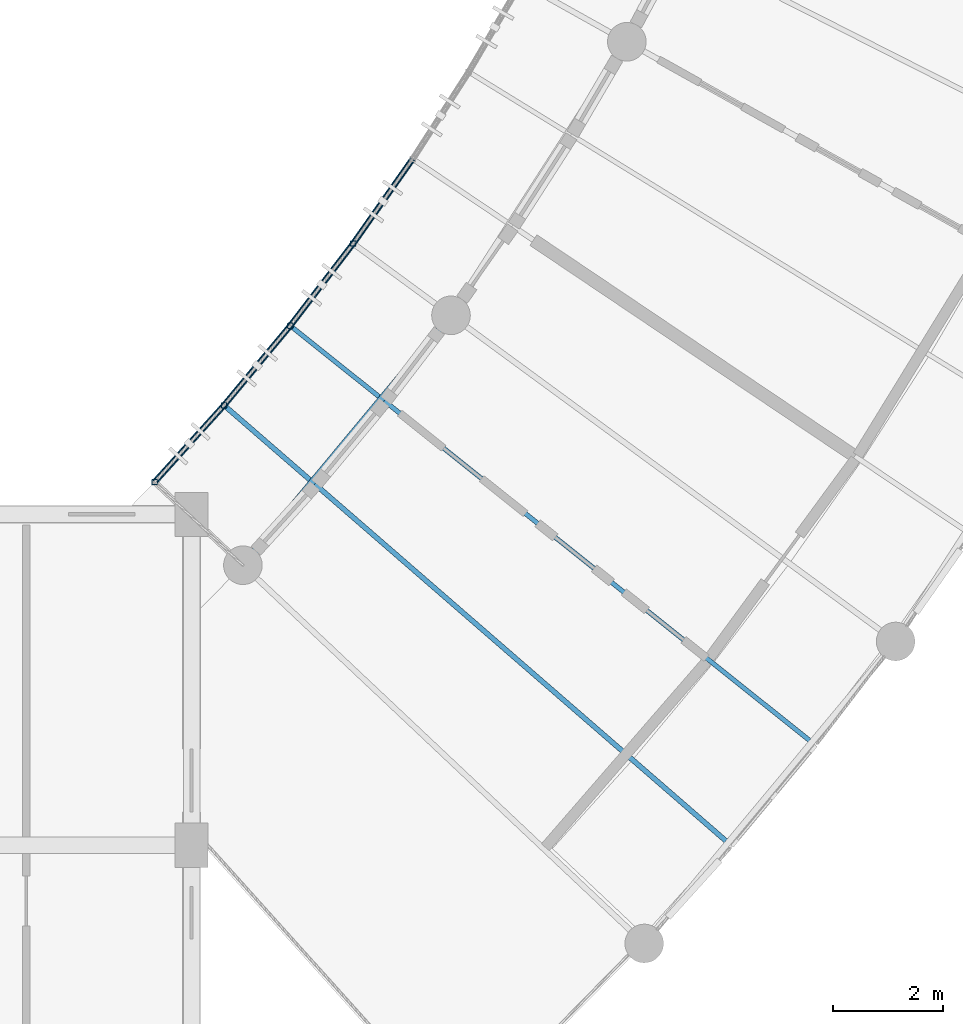
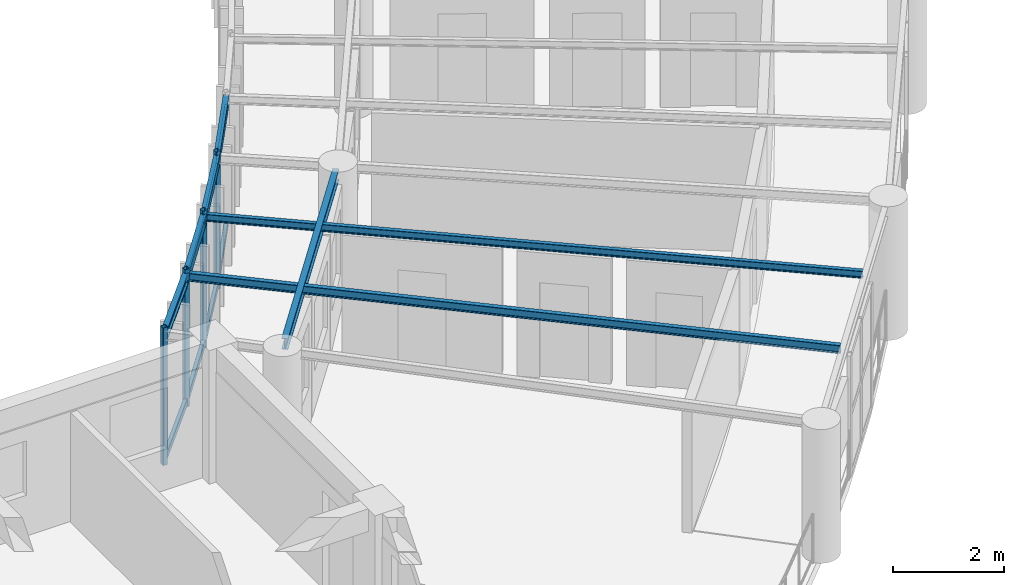
# One storey, part 23 of 137: 12 members, 7 beams.
"""IFC4 building model written with IfcOpenShell, lengths in metres."""

from ifc_helpers import new_model, si_unit, direction, frame, origin, origin_2d, place, context, subcontext, project, spatial, hollow_rectangle, i_section, extrude, material, material_profile, profile_set, type_object, element, save


model = new_model("IFC4")

# Units and contexts
model_context = context("Model", 3, precision=1e-05, world=origin(), true_north=direction((0.0, 1.0)))
body_context = subcontext(model_context, "Body", "Model", "MODEL_VIEW")
ifc_project = project(units=[si_unit("LENGTHUNIT", "METRE"), si_unit("AREAUNIT", "SQUARE_METRE"), si_unit("VOLUMEUNIT", "CUBIC_METRE"), si_unit("PLANEANGLEUNIT", "RADIAN"), si_unit("MASSUNIT", "GRAM", prefix="KILO"), si_unit("POWERUNIT", "WATT"), si_unit("THERMODYNAMICTEMPERATUREUNIT", "KELVIN")], contexts=[model_context])

# Site, building, storey
site_placement = place(None, origin())
site = spatial("IfcSite", under=ifc_project, at=site_placement, CompositionType="ELEMENT")
building_placement = place(site_placement, origin())
building = spatial("IfcBuilding", under=site, at=building_placement, Name="Ruvembo Vaulted Housing Court", CompositionType="ELEMENT")
storey_placement = place(building_placement, frame((0.0, 0.0, 4.5)))
storey = spatial("IfcBuildingStorey", under=building, at=storey_placement, Name="L01", CompositionType="ELEMENT", Elevation=4.5)

# Beams
ifc_material = material(Name="Steel S355J2", Category="steel")
ifc_material_profile_1 = material_profile(ifc_material, i_section(OverallWidth=0.08203125, OverallDepth=0.159912109375, WebThickness=0.0048828125, FlangeThickness=0.00732421875, FilletRadius=0.009033203125, at=origin_2d()), Name="IPE 160")
ifc_profile_set_1 = profile_set([ifc_material_profile_1], Name="Steel S355J2")
beam_type_1 = type_object("IfcBeamType", Name="BM-ST-IPE160", PredefinedType="JOIST", material=ifc_profile_set_1)
beam_1_placement = place(storey_placement, frame((47.20751953125, 37.900146484375, 2.860107421875), z_axis=(-0.781429857341, 0.623993091353, 0.0), x_axis=(-0.623993091353, -0.781429857341, 0.0)))
element("IfcBeam", 1, at=beam_1_placement, inside=storey, type_object=beam_type_1, Name="Scoop SC1 L01 Radial Steel Joist 2", PredefinedType="JOIST", context=body_context, shape_type="SweptSolid", body=[
    extrude(i_section(OverallWidth=0.08203125, OverallDepth=0.159912109375, WebThickness=0.0048828125, FlangeThickness=0.00732421875, FilletRadius=0.009033203125, at=origin_2d()), origin(), (0.0, 0.0, 1.0), 12.092529296875),
])
ifc_material_profile_2 = material_profile(ifc_material, i_section(OverallWidth=0.091064453125, OverallDepth=0.179931640625, WebThickness=0.00537109375, FlangeThickness=0.008056640625, FilletRadius=0.009033203125, at=origin_2d()), Name="IPE 180")
ifc_profile_set_2 = profile_set([ifc_material_profile_2], Name="Steel S355J2")
beam_type_2 = type_object("IfcBeamType", Name="BM-ST-IPE180", PredefinedType="JOIST", material=ifc_profile_set_2)
beam_2_placement = place(storey_placement, frame((45.690673828125, 36.078369140625, 2.85009765625), z_axis=(-0.75520458687, 0.655489154732, 0.0), x_axis=(-0.655489154732, -0.75520458687, 0.0)))
element("IfcBeam", 2, at=beam_2_placement, inside=storey, type_object=beam_type_2, Name="Scoop SC1 L01 Radial Steel Joist 1", PredefinedType="JOIST", context=body_context, shape_type="SweptSolid", body=[
    extrude(i_section(OverallWidth=0.091064453125, OverallDepth=0.179931640625, WebThickness=0.00537109375, FlangeThickness=0.008056640625, FilletRadius=0.009033203125, at=origin_2d()), origin(), (0.0, 0.0, 1.0), 12.092529296875),
])
ifc_material_profile_3 = material_profile(ifc_material, i_section(OverallWidth=0.110107421875, OverallDepth=0.219970703125, WebThickness=0.005859375, FlangeThickness=0.00927734375, FilletRadius=0.011962890625, at=origin_2d()), Name="IPE 220")
ifc_profile_set_3 = profile_set([ifc_material_profile_3], Name="Steel S355J2")
beam_type_3 = type_object("IfcBeamType", Name="BM-ST-IPE220", PredefinedType="SPANDREL", material=ifc_profile_set_3)
for number, where, z_axis, x_axis, name in (
    (3, (35.32958984375, 42.5869140625, 2.830078125), (0.670766832997, 0.741668292265, 0.0), (-0.741668292265, 0.670766832997, 0.0), "Scoop SC1 L01 Balcony Edge Spandrel 0"),
    (4, (36.58837890625, 43.978759765625, 2.830078125), (0.639915648776, 0.76844515904, 0.0), (-0.76844515904, 0.639915648776, 0.0), "Scoop SC1 L01 Balcony Edge Spandrel 1"),
):
    element("IfcBeam", number, at=place(storey_placement, frame(where, z_axis=z_axis, x_axis=x_axis)), inside=storey, type_object=beam_type_3, Name=name, PredefinedType="SPANDREL", context=body_context, shape_type="SweptSolid", body=[
        extrude(i_section(OverallWidth=0.110107421875, OverallDepth=0.219970703125, WebThickness=0.005859375, FlangeThickness=0.00927734375, FilletRadius=0.011962890625, at=origin_2d()), origin(), (0.0, 0.0, 1.0), 1.876708984375),
    ])
beam_3_placement = place(storey_placement, frame((37.789306640625, 45.4208984375, 2.830078125), z_axis=(0.607860517304, 0.794043822155, 0.0), x_axis=(-0.794043822155, 0.607860517304, 0.0)))
element("IfcBeam", 5, at=beam_3_placement, inside=storey, type_object=beam_type_3, Name="Scoop SC1 L01 Balcony Edge Spandrel 2", PredefinedType="SPANDREL", context=body_context, shape_type="SweptSolid", body=[
    extrude(i_section(OverallWidth=0.110107421875, OverallDepth=0.219970703125, WebThickness=0.005859375, FlangeThickness=0.00927734375, FilletRadius=0.011962890625, at=origin_2d()), origin(), (0.0, 0.0, 1.0), 1.87646484375),
])
beam_4_placement = place(storey_placement, frame((38.929931640625, 46.910888671875, 2.830078125), z_axis=(0.574858427718, 0.81825288761, 0.0), x_axis=(-0.81825288761, 0.574858427718, 0.0)))
element("IfcBeam", 6, at=beam_4_placement, inside=storey, type_object=beam_type_3, Name="Scoop SC1 L01 Balcony Edge Spandrel 3", PredefinedType="SPANDREL", context=body_context, shape_type="SweptSolid", body=[
    extrude(i_section(OverallWidth=0.110107421875, OverallDepth=0.219970703125, WebThickness=0.005859375, FlangeThickness=0.00927734375, FilletRadius=0.011962890625, at=origin_2d()), origin(), (0.0, 0.0, 1.0), 1.876708984375),
])
ifc_material_profile_4 = material_profile(ifc_material, i_section(OverallWidth=0.1201171875, OverallDepth=0.239990234375, WebThickness=0.006103515625, FlangeThickness=0.009765625, FilletRadius=0.014892578125, at=origin_2d()), Name="IPE 240")
ifc_profile_set_4 = profile_set([ifc_material_profile_4], Name="Steel S355J2")
beam_type_4 = type_object("IfcBeamType", Name="BM-ST-IPE240", PredefinedType="BEAM", material=ifc_profile_set_4)
beam_5_placement = place(storey_placement, frame((37.077880859375, 41.2548828125, 2.822021484375), z_axis=(0.639875176035, 0.768478860538, 0.0), x_axis=(-0.768478860538, 0.639875176035, 0.0)))
element("IfcBeam", 7, at=beam_5_placement, inside=storey, type_object=beam_type_4, Name="Scoop SC1 L01 Chord Girder F0", PredefinedType="BEAM", context=body_context, shape_type="SweptSolid", body=[
    extrude(i_section(OverallWidth=0.1201171875, OverallDepth=0.239990234375, WebThickness=0.006103515625, FlangeThickness=0.009765625, FilletRadius=0.014892578125, at=origin_2d()), origin(), (0.0, 0.0, 1.0), 5.43701171875),
])

# Members
ifc_material_profile_5 = material_profile(ifc_material, hollow_rectangle(XDim=0.06005859375, YDim=0.1201171875, WallThickness=0.0048828125, InnerFilletRadius=0.0048828125, OuterFilletRadius=0.010009765625, at=origin_2d()), Name="RHS 120x60x5")
ifc_profile_set_5 = profile_set([ifc_material_profile_5], Name="Steel S355J2")
member_type_1 = type_object("IfcMemberType", Name="MEM-CAR-RHS120", PredefinedType="CHORD", material=ifc_profile_set_5)
for number, where, z_axis, x_axis, name in (
    (8, (35.32958984375, 42.5869140625, 2.6630859375), (0.670766832997, 0.741668292265, 0.0), (-0.741668292265, 0.670766832997, 0.0), "Scoop SC1 L01 Upper Louvre Carrier Rail 0"),
    (9, (36.58837890625, 43.978759765625, 2.6630859375), (0.639915648776, 0.76844515904, 0.0), (-0.76844515904, 0.639915648776, 0.0), "Scoop SC1 L01 Upper Louvre Carrier Rail 1"),
):
    element("IfcMember", number, at=place(storey_placement, frame(where, z_axis=z_axis, x_axis=x_axis)), inside=storey, type_object=member_type_1, Name=name, PredefinedType="CHORD", context=body_context, shape_type="SweptSolid", body=[
        extrude(hollow_rectangle(XDim=0.06005859375, YDim=0.1201171875, WallThickness=0.0048828125, InnerFilletRadius=0.0048828125, OuterFilletRadius=0.010009765625, at=origin_2d()), origin(), (0.0, 0.0, 1.0), 1.876708984375),
    ])
member_1_placement = place(storey_placement, frame((37.789306640625, 45.4208984375, 2.6630859375), z_axis=(0.607860517304, 0.794043822155, 0.0), x_axis=(-0.794043822155, 0.607860517304, 0.0)))
element("IfcMember", 10, at=member_1_placement, inside=storey, type_object=member_type_1, Name="Scoop SC1 L01 Upper Louvre Carrier Rail 2", PredefinedType="CHORD", context=body_context, shape_type="SweptSolid", body=[
    extrude(hollow_rectangle(XDim=0.06005859375, YDim=0.1201171875, WallThickness=0.0048828125, InnerFilletRadius=0.0048828125, OuterFilletRadius=0.010009765625, at=origin_2d()), origin(), (0.0, 0.0, 1.0), 1.87646484375),
])
member_2_placement = place(storey_placement, frame((38.929931640625, 46.910888671875, 2.6630859375), z_axis=(0.574858427718, 0.81825288761, 0.0), x_axis=(-0.81825288761, 0.574858427718, 0.0)))
element("IfcMember", 11, at=member_2_placement, inside=storey, type_object=member_type_1, Name="Scoop SC1 L01 Upper Louvre Carrier Rail 3", PredefinedType="CHORD", context=body_context, shape_type="SweptSolid", body=[
    extrude(hollow_rectangle(XDim=0.06005859375, YDim=0.1201171875, WallThickness=0.0048828125, InnerFilletRadius=0.0048828125, OuterFilletRadius=0.010009765625, at=origin_2d()), origin(), (0.0, 0.0, 1.0), 1.876708984375),
])
ifc_material_profile_6 = material_profile(ifc_material, hollow_rectangle(XDim=0.080078125, YDim=0.14990234375, WallThickness=0.00634765625, InnerFilletRadius=0.00634765625, OuterFilletRadius=0.0126953125, at=origin_2d()), Name="RHS 150x80x6.3")
ifc_profile_set_6 = profile_set([ifc_material_profile_6], Name="Steel S355J2")
member_type_2 = type_object("IfcMemberType", Name="MEM-CAR-RHS150", PredefinedType="CHORD", material=ifc_profile_set_6)
for number, where, z_axis, x_axis, name in (
    (12, (35.32958984375, 42.5869140625, 0.094970703125), (0.670766832997, 0.741668292265, 0.0), (-0.741668292265, 0.670766832997, 0.0), "Scoop SC1 L01 Lower Louvre Carrier Rail 0"),
    (13, (36.58837890625, 43.978759765625, 0.094970703125), (0.639915648776, 0.76844515904, 0.0), (-0.76844515904, 0.639915648776, 0.0), "Scoop SC1 L01 Lower Louvre Carrier Rail 1"),
):
    element("IfcMember", number, at=place(storey_placement, frame(where, z_axis=z_axis, x_axis=x_axis)), inside=storey, type_object=member_type_2, Name=name, PredefinedType="CHORD", context=body_context, shape_type="SweptSolid", body=[
        extrude(hollow_rectangle(XDim=0.080078125, YDim=0.14990234375, WallThickness=0.00634765625, InnerFilletRadius=0.00634765625, OuterFilletRadius=0.0126953125, at=origin_2d()), origin(), (0.0, 0.0, 1.0), 1.876708984375),
    ])
member_3_placement = place(storey_placement, frame((37.789306640625, 45.4208984375, 0.094970703125), z_axis=(0.607860517304, 0.794043822155, 0.0), x_axis=(-0.794043822155, 0.607860517304, 0.0)))
element("IfcMember", 14, at=member_3_placement, inside=storey, type_object=member_type_2, Name="Scoop SC1 L01 Lower Louvre Carrier Rail 2", PredefinedType="CHORD", context=body_context, shape_type="SweptSolid", body=[
    extrude(hollow_rectangle(XDim=0.080078125, YDim=0.14990234375, WallThickness=0.00634765625, InnerFilletRadius=0.00634765625, OuterFilletRadius=0.0126953125, at=origin_2d()), origin(), (0.0, 0.0, 1.0), 1.87646484375),
])
member_4_placement = place(storey_placement, frame((38.929931640625, 46.910888671875, 0.094970703125), z_axis=(0.574858427718, 0.81825288761, 0.0), x_axis=(-0.81825288761, 0.574858427718, 0.0)))
element("IfcMember", 15, at=member_4_placement, inside=storey, type_object=member_type_2, Name="Scoop SC1 L01 Lower Louvre Carrier Rail 3", PredefinedType="CHORD", context=body_context, shape_type="SweptSolid", body=[
    extrude(hollow_rectangle(XDim=0.080078125, YDim=0.14990234375, WallThickness=0.00634765625, InnerFilletRadius=0.00634765625, OuterFilletRadius=0.0126953125, at=origin_2d()), origin(), (0.0, 0.0, 1.0), 1.876708984375),
])
ifc_material_profile_7 = material_profile(ifc_material, hollow_rectangle(XDim=0.10009765625, YDim=0.10009765625, WallThickness=0.00634765625, InnerFilletRadius=0.00634765625, OuterFilletRadius=0.0126953125, at=origin_2d()), Name="SHS 100x100x6.3")
ifc_profile_set_7 = profile_set([ifc_material_profile_7], Name="Steel S355J2")
member_type_3 = type_object("IfcMemberType", Name="MEM-FRM-SHS100", PredefinedType="STRUT", material=ifc_profile_set_7)
for number, where, z_axis, x_axis, name in (
    (16, (35.32958984375, 42.5869140625, -0.014892578125), (0.0, 0.0, 1.0), (1.0, 0.0, 0.0), "Scoop SC1 L01 Louvre Frame Post 0"),
    (17, (36.58837890625, 43.978759765625, -0.014892578125), (0.0, 0.0, 1.0), (1.0, 0.0, 0.0), "Scoop SC1 L01 Louvre Frame Post 1"),
    (18, (37.789306640625, 45.4208984375, -0.014892578125), (0.0, 0.0, 1.0), (1.0, 0.0, 0.0), "Scoop SC1 L01 Louvre Frame Post 2"),
    (19, (38.929931640625, 46.910888671875, -0.014892578125), (0.0, 0.0, 1.0), (1.0, 0.0, 0.0), "Scoop SC1 L01 Louvre Frame Post 3"),
):
    element("IfcMember", number, at=place(storey_placement, frame(where, z_axis=z_axis, x_axis=x_axis)), inside=storey, type_object=member_type_3, Name=name, PredefinedType="STRUT", context=body_context, shape_type="SweptSolid", body=[
        extrude(hollow_rectangle(XDim=0.10009765625, YDim=0.10009765625, WallThickness=0.00634765625, InnerFilletRadius=0.00634765625, OuterFilletRadius=0.0126953125, at=origin_2d()), origin(), (0.0, 0.0, 1.0), 3.032958984375),
    ])

save(model, "model.ifc")
